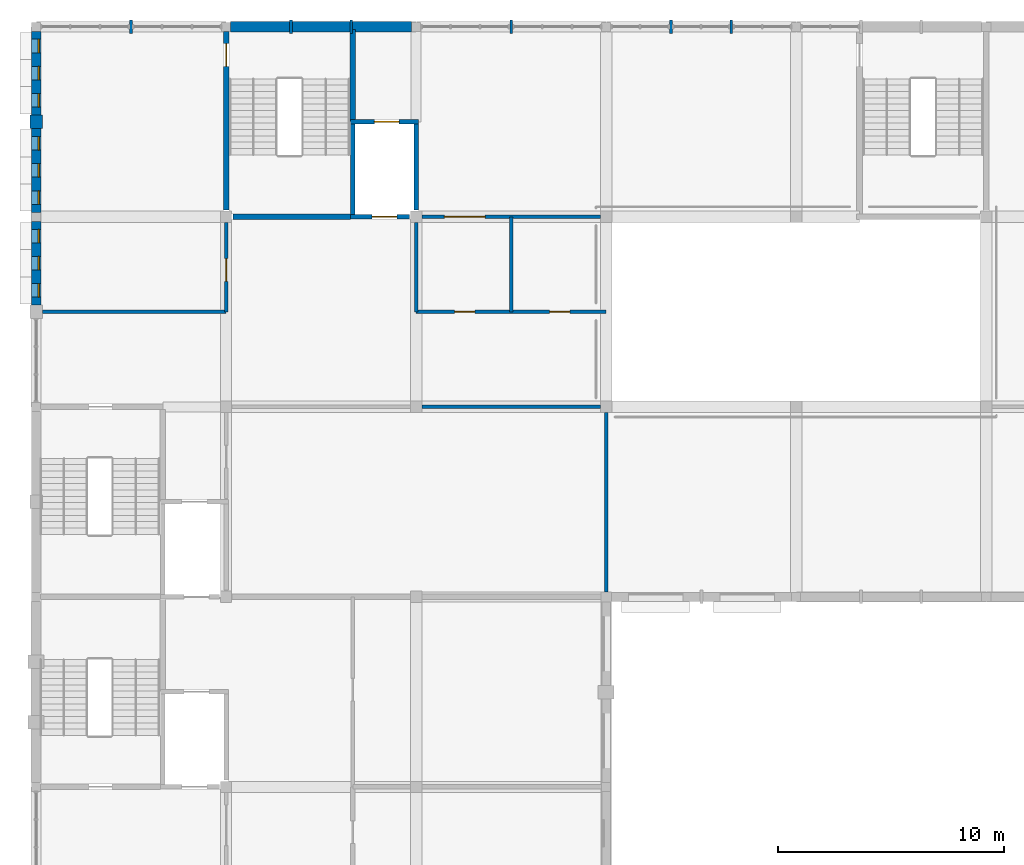
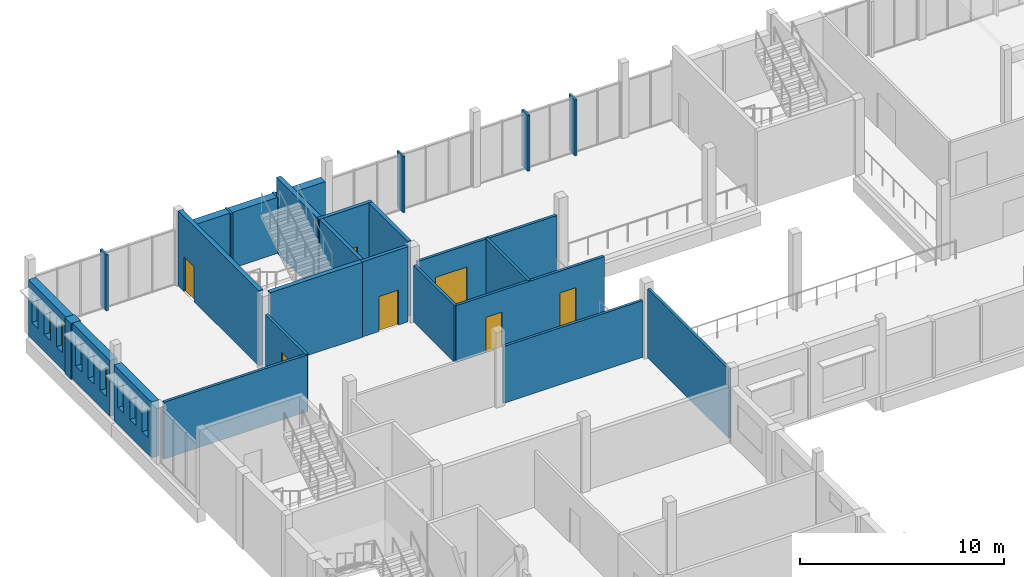
# One storey, part 27 of 38: 28 walls, 9 windows, 7 doors, 16 openings.
"""IFC4 building model written with IfcOpenShell, lengths in metres."""

from ifc_helpers import new_model, si_unit, direction, frame, frame_2d, origin, place, context, subcontext, project, spatial, rectangle, extrude, material, layer, layer_set, type_object, element, fill, save


model = new_model("IFC4")

# Units and contexts
model_context = context("Model", 3, precision=1e-05, world=origin(), true_north=direction((0.0, 1.0)))
body_context = subcontext(model_context, "Body", "Model", "MODEL_VIEW")
ifc_project = project(units=[si_unit("LENGTHUNIT", "METRE"), si_unit("AREAUNIT", "SQUARE_METRE"), si_unit("VOLUMEUNIT", "CUBIC_METRE"), si_unit("PLANEANGLEUNIT", "RADIAN"), si_unit("MASSUNIT", "GRAM", prefix="KILO")], contexts=[model_context])

# Site, building, storey
site_placement = place(None, origin())
site = spatial("IfcSite", under=ifc_project, at=site_placement, CompositionType="ELEMENT")
building_placement = place(site_placement, origin())
building = spatial("IfcBuilding", under=site, at=building_placement, Name="Fescue Hill Polytechnic", CompositionType="ELEMENT")
storey_placement = place(building_placement, frame((0.0, 0.0, 18.0)))
storey = spatial("IfcBuildingStorey", under=building, at=storey_placement, Name="L04", CompositionType="ELEMENT", Elevation=18.0)

# Walls
ifc_material_1 = material(Name="Clay brick masonry", Category="masonry")
ifc_layer_1 = layer(ifc_material_1, 0.550048828125)
ifc_layer_set_1 = layer_set([ifc_layer_1], Name="Clay brick masonry")
wall_type_1 = type_object("IfcWallType", Name="Brick pier 600x550", PredefinedType="SOLIDWALL", material=ifc_layer_set_1)
wall_1_placement = place(storey_placement, frame((0.0, 130.5, 0.0), z_axis=(0.0, 0.0, 1.0), x_axis=(0.0, -1.0, 0.0)))
element("IfcWall", 1, at=wall_1_placement, inside=storey, type_object=wall_type_1, Name="PR-L04-V5-18", PredefinedType="SOLIDWALL", context=body_context, shape_type="SweptSolid", body=[
    extrude(rectangle(XDim=0.60009765625, YDim=0.550048828125, at=frame_2d((0.300048828125, 0.0))), origin(), (0.0, 0.0, 1.0), 3.35009765625),
])
ifc_material_2 = material(Name="Concrete 40 MPa", Category="concrete")
ifc_layer_2 = layer(ifc_material_2, 0.25)
ifc_layer_set_2 = layer_set([ifc_layer_2], Name="Concrete 40 MPa")
wall_type_2 = type_object("IfcWallType", Name="Core wall 250", PredefinedType="SHEAR", material=ifc_layer_set_2)
wall_2_placement = place(storey_placement, frame((8.699951171875, 126.0, 0.0), z_axis=(0.0, 0.0, 1.0), x_axis=(1.0, 0.0, 0.0)))
element("IfcWall", 2, at=wall_2_placement, inside=storey, type_object=wall_type_2, Name="CW-L04-ST-V5-3-11", PredefinedType="SHEAR", context=body_context, shape_type="SweptSolid", body=[
    extrude(rectangle(XDim=5.199951171875, YDim=0.25, at=frame_2d((2.60009765625, 0.0))), origin(), (0.0, 0.0, 1.0), 4.5),
])

# Wall, opening, door
wall_3_placement = place(storey_placement, frame((8.39990234375, 126.300048828125, 0.0), z_axis=(0.0, 0.0, 1.0), x_axis=(0.0, 1.0, 0.0)))
wall_3 = element("IfcWall", 3, at=wall_3_placement, inside=storey, type_object=wall_type_2, Name="CW-L04-ST-V5-3-31", PredefinedType="SHEAR", context=body_context, shape_type="SweptSolid", body=[
    extrude(rectangle(XDim=7.89990234375, YDim=0.25, at=frame_2d((3.949951171875, 0.0))), origin(), (0.0, 0.0, 1.0), 4.5),
])
opening_1_placement = place(wall_3_placement, frame((6.35009765625, 0.0, 0.0)))
opening_1 = element("IfcOpeningElement", 4, at=opening_1_placement, cuts=wall_3, Name="Opening D4041", PredefinedType="OPENING", context=body_context, shape_type="SweptSolid", body=[
    extrude(rectangle(XDim=1.0, YDim=2.10009765625, at=frame_2d((0.5, 1.050048828125))), frame((0.0, 0.135009765625, 0.0), z_axis=(0.0, -1.0, 0.0), x_axis=(1.0, 0.0, 0.0)), (0.0, 0.0, 1.0), 0.27001953125),
])
ifc_material_3 = material(Name="Steel fire door", Category="steel")
door_type_1 = type_object("IfcDoorType", Name="Door single swing 1000x2100 stair fire rated", OperationType="NOTDEFINED", PredefinedType="DOOR", material=ifc_material_3)
door_1_placement = place(opening_1_placement, origin())
door_1 = element("IfcDoor", 5, at=door_1_placement, inside=storey, type_object=door_type_1, Name="L04 ST-V5-3 stair door", OperationType="SINGLE_SWING_RIGHT", OverallHeight=2.10009765625, OverallWidth=1.0, PredefinedType="DOOR", context=body_context, shape_type="SweptSolid", body=[
    extrude(rectangle(XDim=1.0, YDim=2.10009765625, at=frame_2d((0.5, 1.050048828125))), frame((0.0, 0.02490234375, 0.0), z_axis=(0.0, -1.0, 0.0), x_axis=(1.0, 0.0, 0.0)), (0.0, 0.0, 1.0), 0.050048828125),
])
fill(opening_1, door_1)

# Walls
wall_4_placement = place(storey_placement, frame((14.0, 130.2099609375, 0.0), z_axis=(0.0, 0.0, 1.0), x_axis=(0.0, 1.0, 0.0)))
element("IfcWall", 6, at=wall_4_placement, inside=storey, type_object=wall_type_2, Name="CW-L04-ST-V5-3-41", PredefinedType="SHEAR", context=body_context, shape_type="SweptSolid", body=[
    extrude(rectangle(XDim=4.06494140625, YDim=0.25, at=frame_2d((2.032470703125, 0.0))), origin(), (0.0, 0.0, 1.0), 4.5),
])
ifc_material_4 = material(Name="Gypsum board partition")
ifc_layer_3 = layer(ifc_material_4, 0.14990234375)
ifc_layer_set_3 = layer_set([ifc_layer_3], Name="Gypsum board partition")
wall_type_3 = type_object("IfcWallType", Name="Corridor wall 150 EI 45", PredefinedType="PARTITIONING", material=ifc_layer_set_3)
wall_5_placement = place(storey_placement, frame((17.050048828125, 117.60009765625, 0.0), z_axis=(0.0, 0.0, 1.0), x_axis=(1.0, 0.0, 0.0)))
element("IfcWall", 7, at=wall_5_placement, inside=storey, type_object=wall_type_3, Name="IW-L04-023", PredefinedType="PARTITIONING", context=body_context, shape_type="SweptSolid", body=[
    extrude(rectangle(XDim=7.89990234375, YDim=0.14990234375, at=frame_2d((3.949951171875, 0.0))), origin(), (0.0, 0.0, 1.0), 3.39990234375),
])
wall_6_placement = place(storey_placement, frame((0.27490234375, 121.800048828125, 0.0), z_axis=(0.0, 0.0, 1.0), x_axis=(1.0, 0.0, 0.0)))
element("IfcWall", 8, at=wall_6_placement, inside=storey, type_object=wall_type_3, Name="IW-L04-031", PredefinedType="PARTITIONING", context=body_context, shape_type="SweptSolid", body=[
    extrude(rectangle(XDim=8.125, YDim=0.14990234375, at=frame_2d((4.0625, 0.0))), origin(), (0.0, 0.0, 1.0), 3.39990234375),
])

# Wall, openings, doors
wall_7_placement = place(storey_placement, frame((16.800048828125, 121.800048828125, 0.0), z_axis=(0.0, 0.0, 1.0), x_axis=(1.0, 0.0, 0.0)))
wall_7 = element("IfcWall", 9, at=wall_7_placement, inside=storey, type_object=wall_type_3, Name="IW-L04-032", PredefinedType="PARTITIONING", context=body_context, shape_type="SweptSolid", body=[
    extrude(rectangle(XDim=8.39990234375, YDim=0.14990234375, at=frame_2d((4.199951171875, 0.0))), origin(), (0.0, 0.0, 1.0), 3.39990234375),
])
opening_2_placement = place(wall_7_placement, frame((1.699951171875, 0.0, 0.0)))
opening_2 = element("IfcOpeningElement", 10, at=opening_2_placement, cuts=wall_7, Name="Opening D4019", PredefinedType="OPENING", context=body_context, shape_type="SweptSolid", body=[
    extrude(rectangle(XDim=0.89990234375, YDim=2.10009765625, at=frame_2d((0.449951171875, 1.050048828125))), frame((0.0, 0.0849609375, 0.0), z_axis=(0.0, -1.0, 0.0), x_axis=(1.0, 0.0, 0.0)), (0.0, 0.0, 1.0), 0.169921875),
])
opening_3_placement = place(wall_7_placement, frame((5.89990234375, 0.0, 0.0)))
opening_3 = element("IfcOpeningElement", 11, at=opening_3_placement, cuts=wall_7, Name="Opening D4020", PredefinedType="OPENING", context=body_context, shape_type="SweptSolid", body=[
    extrude(rectangle(XDim=0.89990234375, YDim=2.10009765625, at=frame_2d((0.449951171875, 1.050048828125))), frame((0.0, 0.0849609375, 0.0), z_axis=(0.0, -1.0, 0.0), x_axis=(1.0, 0.0, 0.0)), (0.0, 0.0, 1.0), 0.169921875),
])
ifc_material_5 = material(Name="Timber", Category="wood")
door_type_2 = type_object("IfcDoorType", Name="Door single swing 900x2100 FD30S", OperationType="SINGLE_SWING_LEFT", PredefinedType="DOOR", material=ifc_material_5)
door_2_placement = place(opening_2_placement, origin())
door_2 = element("IfcDoor", 12, at=door_2_placement, inside=storey, type_object=door_type_2, Name="Door D4019", OperationType="SINGLE_SWING_LEFT", OverallHeight=2.10009765625, OverallWidth=0.89990234375, PredefinedType="DOOR", context=body_context, shape_type="SweptSolid", body=[
    extrude(rectangle(XDim=0.89990234375, YDim=2.10009765625, at=frame_2d((0.449951171875, 1.050048828125))), frame((0.0, 0.02490234375, 0.0), z_axis=(0.0, -1.0, 0.0), x_axis=(1.0, 0.0, 0.0)), (0.0, 0.0, 1.0), 0.050048828125),
])
fill(opening_2, door_2)
door_3_placement = place(opening_3_placement, origin())
door_3 = element("IfcDoor", 13, at=door_3_placement, inside=storey, type_object=door_type_2, Name="Door D4020", OperationType="SINGLE_SWING_RIGHT", OverallHeight=2.10009765625, OverallWidth=0.89990234375, PredefinedType="DOOR", context=body_context, shape_type="SweptSolid", body=[
    extrude(rectangle(XDim=0.89990234375, YDim=2.10009765625, at=frame_2d((0.449951171875, 1.050048828125))), frame((0.0, 0.02490234375, 0.0), z_axis=(0.0, -1.0, 0.0), x_axis=(1.0, 0.0, 0.0)), (0.0, 0.0, 1.0), 0.050048828125),
])
fill(opening_3, door_3)

# Walls
ifc_layer_4 = layer(ifc_material_2, 0.449951171875)
ifc_layer_set_4 = layer_set([ifc_layer_4], Name="Concrete 40 MPa")
wall_type_4 = type_object("IfcWallType", Name="Exterior wall board-marked concrete 450", PredefinedType="SOLIDWALL", material=ifc_layer_set_4)
wall_8_placement = place(storey_placement, frame((16.60009765625, 134.39990234375, 0.0), z_axis=(0.0, 0.0, 1.0), x_axis=(-1.0, 0.0, 0.0)))
element("IfcWall", 14, at=wall_8_placement, inside=storey, type_object=wall_type_4, Name="EW-L04-V5-15", PredefinedType="SOLIDWALL", context=body_context, shape_type="SweptSolid", body=[
    extrude(rectangle(XDim=2.606689453125, YDim=0.449951171875, at=frame_2d((1.30322265625, 0.0))), origin(), (0.0, 0.0, 1.0), 3.35009765625),
])
ifc_layer_5 = layer(ifc_material_2, 0.449951171875)
ifc_layer_set_5 = layer_set([ifc_layer_5], Name="Concrete 40 MPa")
wall_type_5 = type_object("IfcWallType", Name="Exterior wall board-marked concrete 450 load-bearing", PredefinedType="SOLIDWALL", material=ifc_layer_set_5)
wall_9_placement = place(storey_placement, frame((13.873291015625, 134.39990234375, 0.0), z_axis=(0.0, 0.0, 1.0), x_axis=(-1.0, 0.0, 0.0)))
element("IfcWall", 15, at=wall_9_placement, inside=storey, type_object=wall_type_5, Name="EW-L04-V5-16", PredefinedType="SOLIDWALL", context=body_context, shape_type="SweptSolid", body=[
    extrude(rectangle(XDim=2.546630859375, YDim=0.449951171875, at=frame_2d((1.2734375, 0.0))), origin(), (0.0, 0.0, 1.0), 3.35009765625),
])
wall_10_placement = place(storey_placement, frame((11.206787109375, 134.39990234375, 0.0), z_axis=(0.0, 0.0, 1.0), x_axis=(-1.0, 0.0, 0.0)))
element("IfcWall", 16, at=wall_10_placement, inside=storey, type_object=wall_type_5, Name="EW-L04-V5-17", PredefinedType="SOLIDWALL", context=body_context, shape_type="SweptSolid", body=[
    extrude(rectangle(XDim=2.606689453125, YDim=0.449951171875, at=frame_2d((1.30322265625, 0.0))), origin(), (0.0, 0.0, 1.0), 3.35009765625),
])

# Wall, openings, windows
ifc_layer_6 = layer(ifc_material_1, 0.419921875)
ifc_layer_set_6 = layer_set([ifc_layer_6], Name="Clay brick masonry")
wall_type_6 = type_object("IfcWallType", Name="Exterior wall buff-red brick cavity 420", PredefinedType="SOLIDWALL", material=ifc_layer_set_6)
wall_11_placement = place(storey_placement, frame((0.0, 134.199951171875, 0.0), z_axis=(0.0, 0.0, 1.0), x_axis=(0.0, -1.0, 0.0)))
wall_11 = element("IfcWall", 17, at=wall_11_placement, inside=storey, type_object=wall_type_6, Name="EW-L04-V5-19", PredefinedType="SOLIDWALL", context=body_context, shape_type="SweptSolid", body=[
    extrude(rectangle(XDim=3.699951171875, YDim=0.419921875, at=frame_2d((1.85009765625, 0.0))), origin(), (0.0, 0.0, 1.0), 3.35009765625),
])
opening_4_placement = place(wall_11_placement, frame((0.35009765625, 0.0, 1.0)))
opening_4 = element("IfcOpeningElement", 18, at=opening_4_placement, cuts=wall_11, Name="Opening W6R", PredefinedType="OPENING", context=body_context, shape_type="SweptSolid", body=[
    extrude(rectangle(XDim=0.60009765625, YDim=1.800048828125, at=frame_2d((0.300048828125, 0.89990234375))), frame((0.0, 0.219970703125, 0.0), z_axis=(0.0, -1.0, 0.0), x_axis=(1.0, 0.0, 0.0)), (0.0, 0.0, 1.0), 0.43994140625),
])
opening_5_placement = place(wall_11_placement, frame((1.550048828125, 0.0, 1.0)))
opening_5 = element("IfcOpeningElement", 19, at=opening_5_placement, cuts=wall_11, Name="Opening W6R", PredefinedType="OPENING", context=body_context, shape_type="SweptSolid", body=[
    extrude(rectangle(XDim=0.60009765625, YDim=1.800048828125, at=frame_2d((0.300048828125, 0.89990234375))), frame((0.0, 0.219970703125, 0.0), z_axis=(0.0, -1.0, 0.0), x_axis=(1.0, 0.0, 0.0)), (0.0, 0.0, 1.0), 0.43994140625),
])
opening_6_placement = place(wall_11_placement, frame((2.75, 0.0, 1.0)))
opening_6 = element("IfcOpeningElement", 20, at=opening_6_placement, cuts=wall_11, Name="Opening W6R", PredefinedType="OPENING", context=body_context, shape_type="SweptSolid", body=[
    extrude(rectangle(XDim=0.60009765625, YDim=1.800048828125, at=frame_2d((0.300048828125, 0.89990234375))), frame((0.0, 0.219970703125, 0.0), z_axis=(0.0, -1.0, 0.0), x_axis=(1.0, 0.0, 0.0)), (0.0, 0.0, 1.0), 0.43994140625),
])
ifc_material_6 = material(Name="Powder-coated aluminium and glass", Category="aluminium")
window_type = type_object("IfcWindowType", Name="Window slot 600x1800", PartitioningType="SINGLE_PANEL", PredefinedType="WINDOW", material=ifc_material_6)
window_1_placement = place(opening_4_placement, origin())
window_1 = element("IfcWindow", 21, at=window_1_placement, inside=storey, type_object=window_type, Name="WN-L04-V5-3", OverallHeight=1.800048828125, OverallWidth=0.60009765625, PartitioningType="SINGLE_PANEL", PredefinedType="WINDOW", context=body_context, shape_type="SweptSolid", body=[
    extrude(rectangle(XDim=0.60009765625, YDim=1.800048828125, at=frame_2d((0.300048828125, 0.89990234375))), frame((0.0, 0.150146484375, 0.0), z_axis=(0.0, -1.0, 0.0), x_axis=(1.0, 0.0, 0.0)), (0.0, 0.0, 1.0), 0.06005859375),
])
fill(opening_4, window_1)
window_2_placement = place(opening_5_placement, origin())
window_2 = element("IfcWindow", 22, at=window_2_placement, inside=storey, type_object=window_type, Name="WN-L04-V5-4", OverallHeight=1.800048828125, OverallWidth=0.60009765625, PartitioningType="SINGLE_PANEL", PredefinedType="WINDOW", context=body_context, shape_type="SweptSolid", body=[
    extrude(rectangle(XDim=0.60009765625, YDim=1.800048828125, at=frame_2d((0.300048828125, 0.89990234375))), frame((0.0, 0.150146484375, 0.0), z_axis=(0.0, -1.0, 0.0), x_axis=(1.0, 0.0, 0.0)), (0.0, 0.0, 1.0), 0.06005859375),
])
fill(opening_5, window_2)
window_3_placement = place(opening_6_placement, origin())
window_3 = element("IfcWindow", 23, at=window_3_placement, inside=storey, type_object=window_type, Name="WN-L04-V5-5", OverallHeight=1.800048828125, OverallWidth=0.60009765625, PartitioningType="SINGLE_PANEL", PredefinedType="WINDOW", context=body_context, shape_type="SweptSolid", body=[
    extrude(rectangle(XDim=0.60009765625, YDim=1.800048828125, at=frame_2d((0.300048828125, 0.89990234375))), frame((0.0, 0.150146484375, 0.0), z_axis=(0.0, -1.0, 0.0), x_axis=(1.0, 0.0, 0.0)), (0.0, 0.0, 1.0), 0.06005859375),
])
fill(opening_6, window_3)

wall_12_placement = place(storey_placement, frame((0.0, 129.89990234375, 0.0), z_axis=(0.0, 0.0, 1.0), x_axis=(0.0, -1.0, 0.0)))
wall_12 = element("IfcWall", 24, at=wall_12_placement, inside=storey, type_object=wall_type_6, Name="EW-L04-V5-20", PredefinedType="SOLIDWALL", context=body_context, shape_type="SweptSolid", body=[
    extrude(rectangle(XDim=3.699951171875, YDim=0.419921875, at=frame_2d((1.85009765625, 0.0))), origin(), (0.0, 0.0, 1.0), 3.35009765625),
])
opening_7_placement = place(wall_12_placement, frame((0.35009765625, 0.0, 1.0)))
opening_7 = element("IfcOpeningElement", 25, at=opening_7_placement, cuts=wall_12, Name="Opening W6R", PredefinedType="OPENING", context=body_context, shape_type="SweptSolid", body=[
    extrude(rectangle(XDim=0.60009765625, YDim=1.800048828125, at=frame_2d((0.300048828125, 0.89990234375))), frame((0.0, 0.219970703125, 0.0), z_axis=(0.0, -1.0, 0.0), x_axis=(1.0, 0.0, 0.0)), (0.0, 0.0, 1.0), 0.43994140625),
])
opening_8_placement = place(wall_12_placement, frame((1.550048828125, 0.0, 1.0)))
opening_8 = element("IfcOpeningElement", 26, at=opening_8_placement, cuts=wall_12, Name="Opening W6R", PredefinedType="OPENING", context=body_context, shape_type="SweptSolid", body=[
    extrude(rectangle(XDim=0.60009765625, YDim=1.800048828125, at=frame_2d((0.300048828125, 0.89990234375))), frame((0.0, 0.219970703125, 0.0), z_axis=(0.0, -1.0, 0.0), x_axis=(1.0, 0.0, 0.0)), (0.0, 0.0, 1.0), 0.43994140625),
])
opening_9_placement = place(wall_12_placement, frame((2.75, 0.0, 1.0)))
opening_9 = element("IfcOpeningElement", 27, at=opening_9_placement, cuts=wall_12, Name="Opening W6R", PredefinedType="OPENING", context=body_context, shape_type="SweptSolid", body=[
    extrude(rectangle(XDim=0.60009765625, YDim=1.800048828125, at=frame_2d((0.300048828125, 0.89990234375))), frame((0.0, 0.219970703125, 0.0), z_axis=(0.0, -1.0, 0.0), x_axis=(1.0, 0.0, 0.0)), (0.0, 0.0, 1.0), 0.43994140625),
])
window_4_placement = place(opening_7_placement, origin())
window_4 = element("IfcWindow", 28, at=window_4_placement, inside=storey, type_object=window_type, Name="WN-L04-V5-6", OverallHeight=1.800048828125, OverallWidth=0.60009765625, PartitioningType="SINGLE_PANEL", PredefinedType="WINDOW", context=body_context, shape_type="SweptSolid", body=[
    extrude(rectangle(XDim=0.60009765625, YDim=1.800048828125, at=frame_2d((0.300048828125, 0.89990234375))), frame((0.0, 0.150146484375, 0.0), z_axis=(0.0, -1.0, 0.0), x_axis=(1.0, 0.0, 0.0)), (0.0, 0.0, 1.0), 0.06005859375),
])
fill(opening_7, window_4)
window_5_placement = place(opening_8_placement, origin())
window_5 = element("IfcWindow", 29, at=window_5_placement, inside=storey, type_object=window_type, Name="WN-L04-V5-7", OverallHeight=1.800048828125, OverallWidth=0.60009765625, PartitioningType="SINGLE_PANEL", PredefinedType="WINDOW", context=body_context, shape_type="SweptSolid", body=[
    extrude(rectangle(XDim=0.60009765625, YDim=1.800048828125, at=frame_2d((0.300048828125, 0.89990234375))), frame((0.0, 0.150146484375, 0.0), z_axis=(0.0, -1.0, 0.0), x_axis=(1.0, 0.0, 0.0)), (0.0, 0.0, 1.0), 0.06005859375),
])
fill(opening_8, window_5)
window_6_placement = place(opening_9_placement, origin())
window_6 = element("IfcWindow", 30, at=window_6_placement, inside=storey, type_object=window_type, Name="WN-L04-V5-8", OverallHeight=1.800048828125, OverallWidth=0.60009765625, PartitioningType="SINGLE_PANEL", PredefinedType="WINDOW", context=body_context, shape_type="SweptSolid", body=[
    extrude(rectangle(XDim=0.60009765625, YDim=1.800048828125, at=frame_2d((0.300048828125, 0.89990234375))), frame((0.0, 0.150146484375, 0.0), z_axis=(0.0, -1.0, 0.0), x_axis=(1.0, 0.0, 0.0)), (0.0, 0.0, 1.0), 0.06005859375),
])
fill(opening_9, window_6)

wall_13_placement = place(storey_placement, frame((0.0, 125.800048828125, 0.0), z_axis=(0.0, 0.0, 1.0), x_axis=(0.0, -1.0, 0.0)))
wall_13 = element("IfcWall", 31, at=wall_13_placement, inside=storey, type_object=wall_type_6, Name="EW-L04-V5-21", PredefinedType="SOLIDWALL", context=body_context, shape_type="SweptSolid", body=[
    extrude(rectangle(XDim=3.699951171875, YDim=0.419921875, at=frame_2d((1.85009765625, 0.0))), origin(), (0.0, 0.0, 1.0), 3.35009765625),
])
opening_10_placement = place(wall_13_placement, frame((0.35009765625, 0.0, 1.0)))
opening_10 = element("IfcOpeningElement", 32, at=opening_10_placement, cuts=wall_13, Name="Opening W6R", PredefinedType="OPENING", context=body_context, shape_type="SweptSolid", body=[
    extrude(rectangle(XDim=0.60009765625, YDim=1.800048828125, at=frame_2d((0.300048828125, 0.89990234375))), frame((0.0, 0.219970703125, 0.0), z_axis=(0.0, -1.0, 0.0), x_axis=(1.0, 0.0, 0.0)), (0.0, 0.0, 1.0), 0.43994140625),
])
opening_11_placement = place(wall_13_placement, frame((1.550048828125, 0.0, 1.0)))
opening_11 = element("IfcOpeningElement", 33, at=opening_11_placement, cuts=wall_13, Name="Opening W6R", PredefinedType="OPENING", context=body_context, shape_type="SweptSolid", body=[
    extrude(rectangle(XDim=0.60009765625, YDim=1.800048828125, at=frame_2d((0.300048828125, 0.89990234375))), frame((0.0, 0.219970703125, 0.0), z_axis=(0.0, -1.0, 0.0), x_axis=(1.0, 0.0, 0.0)), (0.0, 0.0, 1.0), 0.43994140625),
])
opening_12_placement = place(wall_13_placement, frame((2.75, 0.0, 1.0)))
opening_12 = element("IfcOpeningElement", 34, at=opening_12_placement, cuts=wall_13, Name="Opening W6R", PredefinedType="OPENING", context=body_context, shape_type="SweptSolid", body=[
    extrude(rectangle(XDim=0.60009765625, YDim=1.800048828125, at=frame_2d((0.300048828125, 0.89990234375))), frame((0.0, 0.219970703125, 0.0), z_axis=(0.0, -1.0, 0.0), x_axis=(1.0, 0.0, 0.0)), (0.0, 0.0, 1.0), 0.43994140625),
])
window_7_placement = place(opening_10_placement, origin())
window_7 = element("IfcWindow", 35, at=window_7_placement, inside=storey, type_object=window_type, Name="WN-L04-V5-9", OverallHeight=1.800048828125, OverallWidth=0.60009765625, PartitioningType="SINGLE_PANEL", PredefinedType="WINDOW", context=body_context, shape_type="SweptSolid", body=[
    extrude(rectangle(XDim=0.60009765625, YDim=1.800048828125, at=frame_2d((0.300048828125, 0.89990234375))), frame((0.0, 0.150146484375, 0.0), z_axis=(0.0, -1.0, 0.0), x_axis=(1.0, 0.0, 0.0)), (0.0, 0.0, 1.0), 0.06005859375),
])
fill(opening_10, window_7)
window_8_placement = place(opening_11_placement, origin())
window_8 = element("IfcWindow", 36, at=window_8_placement, inside=storey, type_object=window_type, Name="WN-L04-V5-10", OverallHeight=1.800048828125, OverallWidth=0.60009765625, PartitioningType="SINGLE_PANEL", PredefinedType="WINDOW", context=body_context, shape_type="SweptSolid", body=[
    extrude(rectangle(XDim=0.60009765625, YDim=1.800048828125, at=frame_2d((0.300048828125, 0.89990234375))), frame((0.0, 0.150146484375, 0.0), z_axis=(0.0, -1.0, 0.0), x_axis=(1.0, 0.0, 0.0)), (0.0, 0.0, 1.0), 0.06005859375),
])
fill(opening_11, window_8)
window_9_placement = place(opening_12_placement, origin())
window_9 = element("IfcWindow", 37, at=window_9_placement, inside=storey, type_object=window_type, Name="WN-L04-V5-11", OverallHeight=1.800048828125, OverallWidth=0.60009765625, PartitioningType="SINGLE_PANEL", PredefinedType="WINDOW", context=body_context, shape_type="SweptSolid", body=[
    extrude(rectangle(XDim=0.60009765625, YDim=1.800048828125, at=frame_2d((0.300048828125, 0.89990234375))), frame((0.0, 0.150146484375, 0.0), z_axis=(0.0, -1.0, 0.0), x_axis=(1.0, 0.0, 0.0)), (0.0, 0.0, 1.0), 0.06005859375),
])
fill(opening_12, window_9)

# Wall, opening, door
ifc_layer_7 = layer(ifc_material_2, 0.199951171875)
ifc_layer_set_7 = layer_set([ifc_layer_7], Name="Concrete 40 MPa")
wall_type_7 = type_object("IfcWallType", Name="Lift shaft wall 200", PredefinedType="SHEAR", material=ifc_layer_set_7)
wall_14_placement = place(storey_placement, frame((13.89990234375, 126.0, 0.0), z_axis=(0.0, 0.0, 1.0), x_axis=(1.0, 0.0, 0.0)))
wall_14 = element("IfcWall", 38, at=wall_14_placement, inside=storey, type_object=wall_type_7, Name="CW-L04-LF-V5-2-11", PredefinedType="SHEAR", context=body_context, shape_type="SweptSolid", body=[
    extrude(rectangle(XDim=2.60009765625, YDim=0.199951171875, at=frame_2d((1.300048828125, 0.0))), origin(), (0.0, 0.0, 1.0), 4.5),
])
opening_13_placement = place(wall_14_placement, frame((0.949951171875, 0.0, 0.0)))
opening_13 = element("IfcOpeningElement", 39, at=opening_13_placement, cuts=wall_14, Name="Opening LD7-L04", PredefinedType="OPENING", context=body_context, shape_type="SweptSolid", body=[
    extrude(rectangle(XDim=1.10009765625, YDim=2.10009765625, at=frame_2d((0.550048828125, 1.050048828125))), frame((0.0, 0.10986328125, 0.0), z_axis=(0.0, -1.0, 0.0), x_axis=(1.0, 0.0, 0.0)), (0.0, 0.0, 1.0), 0.219970703125),
])
ifc_material_7 = material(Name="Stainless steel", Category="steel")
door_type_3 = type_object("IfcDoorType", Name="Lift landing door sliding 1100x2100", OperationType="SLIDING_TO_LEFT", PredefinedType="DOOR", material=ifc_material_7)
door_4_placement = place(opening_13_placement, origin())
door_4 = element("IfcDoor", 40, at=door_4_placement, inside=storey, type_object=door_type_3, Name="L04 LF-V5-2 lift landing door", OperationType="SLIDING_TO_LEFT", OverallHeight=2.10009765625, OverallWidth=1.10009765625, PredefinedType="DOOR", context=body_context, shape_type="SweptSolid", body=[
    extrude(rectangle(XDim=1.10009765625, YDim=2.10009765625, at=frame_2d((0.550048828125, 1.050048828125))), frame((0.0, 0.02490234375, 0.0), z_axis=(0.0, -1.0, 0.0), x_axis=(1.0, 0.0, 0.0)), (0.0, 0.0, 1.0), 0.050048828125),
])
fill(opening_13, door_4)

wall_15_placement = place(storey_placement, frame((13.89990234375, 130.199951171875, 0.0), z_axis=(0.0, 0.0, 1.0), x_axis=(1.0, 0.0, 0.0)))
wall_15 = element("IfcWall", 41, at=wall_15_placement, inside=storey, type_object=wall_type_7, Name="CW-L04-LF-V5-2-21", PredefinedType="SHEAR", context=body_context, shape_type="SweptSolid", body=[
    extrude(rectangle(XDim=3.0, YDim=0.199951171875, at=frame_2d((1.5, 0.0))), origin(), (0.0, 0.0, 1.0), 4.5),
])
opening_14_placement = place(wall_15_placement, frame((1.050048828125, 0.0, 0.0)))
opening_14 = element("IfcOpeningElement", 42, at=opening_14_placement, cuts=wall_15, Name="Opening LD7-L04N", PredefinedType="OPENING", context=body_context, shape_type="SweptSolid", body=[
    extrude(rectangle(XDim=1.10009765625, YDim=2.10009765625, at=frame_2d((0.550048828125, 1.050048828125))), frame((0.0, 0.10986328125, 0.0), z_axis=(0.0, -1.0, 0.0), x_axis=(1.0, 0.0, 0.0)), (0.0, 0.0, 1.0), 0.219970703125),
])
door_5_placement = place(opening_14_placement, origin())
door_5 = element("IfcDoor", 43, at=door_5_placement, inside=storey, type_object=door_type_3, Name="L04 LF-V5-2 lift landing door", OperationType="SLIDING_TO_RIGHT", OverallHeight=2.10009765625, OverallWidth=1.10009765625, PredefinedType="DOOR", context=body_context, shape_type="SweptSolid", body=[
    extrude(rectangle(XDim=1.10009765625, YDim=2.10009765625, at=frame_2d((0.550048828125, 1.050048828125))), frame((0.0, 0.02490234375, 0.0), z_axis=(0.0, -1.0, 0.0), x_axis=(1.0, 0.0, 0.0)), (0.0, 0.0, 1.0), 0.050048828125),
])
fill(opening_14, door_5)

# Walls
wall_16_placement = place(storey_placement, frame((14.0, 126.10009765625, 0.0), z_axis=(0.0, 0.0, 1.0), x_axis=(0.0, 1.0, 0.0)))
element("IfcWall", 44, at=wall_16_placement, inside=storey, type_object=wall_type_7, Name="CW-L04-LF-V5-2-31", PredefinedType="SHEAR", context=body_context, shape_type="SweptSolid", body=[
    extrude(rectangle(XDim=4.0, YDim=0.199951171875, at=frame_2d((2.0, 0.0))), origin(), (0.0, 0.0, 1.0), 4.5),
])
wall_17_placement = place(storey_placement, frame((16.800048828125, 126.300048828125, 0.0), z_axis=(0.0, 0.0, 1.0), x_axis=(0.0, 1.0, 0.0)))
element("IfcWall", 45, at=wall_17_placement, inside=storey, type_object=wall_type_7, Name="CW-L04-LF-V5-2-41", PredefinedType="SHEAR", context=body_context, shape_type="SweptSolid", body=[
    extrude(rectangle(XDim=3.800048828125, YDim=0.199951171875, at=frame_2d((1.89990234375, 0.0))), origin(), (0.0, 0.0, 1.0), 4.5),
])

# Wall, opening, door
ifc_layer_8 = layer(ifc_material_4, 0.14990234375)
ifc_layer_set_8 = layer_set([ifc_layer_8], Name="Gypsum board partition")
wall_type_8 = type_object("IfcWallType", Name="Lobby wall 150 EI 60", PredefinedType="PARTITIONING", material=ifc_layer_set_8)
wall_18_placement = place(storey_placement, frame((8.39990234375, 121.800048828125, 0.0), z_axis=(0.0, 0.0, 1.0), x_axis=(0.0, 1.0, 0.0)))
wall_18 = element("IfcWall", 46, at=wall_18_placement, inside=storey, type_object=wall_type_8, Name="IW-L04-042", PredefinedType="PARTITIONING", context=body_context, shape_type="SweptSolid", body=[
    extrude(rectangle(XDim=3.949951171875, YDim=0.14990234375, at=frame_2d((1.97509765625, 0.0))), origin(), (0.0, 0.0, 1.0), 3.39990234375),
])
opening_15_placement = place(wall_18_placement, frame((1.35009765625, 0.0, 0.0)))
opening_15 = element("IfcOpeningElement", 47, at=opening_15_placement, cuts=wall_18, Name="Opening D4022", PredefinedType="OPENING", context=body_context, shape_type="SweptSolid", body=[
    extrude(rectangle(XDim=1.0, YDim=2.10009765625, at=frame_2d((0.5, 1.050048828125))), frame((0.0, 0.0849609375, 0.0), z_axis=(0.0, -1.0, 0.0), x_axis=(1.0, 0.0, 0.0)), (0.0, 0.0, 1.0), 0.169921875),
])
ifc_material_8 = material(Name="Steel", Category="steel")
door_type_4 = type_object("IfcDoorType", Name="Door single swing 1000x2100 FD60", OperationType="SINGLE_SWING_LEFT", PredefinedType="DOOR", material=ifc_material_8)
door_6_placement = place(opening_15_placement, origin())
door_6 = element("IfcDoor", 48, at=door_6_placement, inside=storey, type_object=door_type_4, Name="Door D4022", OperationType="SINGLE_SWING_LEFT", OverallHeight=2.10009765625, OverallWidth=1.0, PredefinedType="DOOR", context=body_context, shape_type="SweptSolid", body=[
    extrude(rectangle(XDim=1.0, YDim=2.10009765625, at=frame_2d((0.5, 1.050048828125))), frame((0.0, 0.02490234375, 0.0), z_axis=(0.0, -1.0, 0.0), x_axis=(1.0, 0.0, 0.0)), (0.0, 0.0, 1.0), 0.050048828125),
])
fill(opening_15, door_6)

# Wall
wall_19_placement = place(storey_placement, frame((16.800048828125, 121.800048828125, 0.0), z_axis=(0.0, 0.0, 1.0), x_axis=(0.0, 1.0, 0.0)))
element("IfcWall", 49, at=wall_19_placement, inside=storey, type_object=wall_type_8, Name="IW-L04-051", PredefinedType="PARTITIONING", context=body_context, shape_type="SweptSolid", body=[
    extrude(rectangle(XDim=3.949951171875, YDim=0.14990234375, at=frame_2d((1.97509765625, 0.0))), origin(), (0.0, 0.0, 1.0), 3.39990234375),
])

# Wall, opening, door
ifc_layer_9 = layer(ifc_material_4, 0.14990234375)
ifc_layer_set_9 = layer_set([ifc_layer_9], Name="Gypsum board partition")
wall_type_9 = type_object("IfcWallType", Name="Partition stud 150 acoustic", PredefinedType="PARTITIONING", material=ifc_layer_set_9)
wall_20_placement = place(storey_placement, frame((17.050048828125, 126.0, 0.0), z_axis=(0.0, 0.0, 1.0), x_axis=(1.0, 0.0, 0.0)))
wall_20 = element("IfcWall", 50, at=wall_20_placement, inside=storey, type_object=wall_type_9, Name="IW-L04-036", PredefinedType="PARTITIONING", context=body_context, shape_type="SweptSolid", body=[
    extrude(rectangle(XDim=7.89990234375, YDim=0.14990234375, at=frame_2d((3.949951171875, 0.0))), origin(), (0.0, 0.0, 1.0), 3.39990234375),
])
opening_16_placement = place(wall_20_placement, frame((1.0, 0.0, 0.0)))
opening_16 = element("IfcOpeningElement", 51, at=opening_16_placement, cuts=wall_20, Name="Opening D4021", PredefinedType="OPENING", context=body_context, shape_type="SweptSolid", body=[
    extrude(rectangle(XDim=1.800048828125, YDim=2.10009765625, at=frame_2d((0.89990234375, 1.050048828125))), frame((0.0, 0.0849609375, 0.0), z_axis=(0.0, -1.0, 0.0), x_axis=(1.0, 0.0, 0.0)), (0.0, 0.0, 1.0), 0.169921875),
])
door_type_5 = type_object("IfcDoorType", Name="Door double swing 1800x2100", OperationType="DOUBLE_DOOR_SINGLE_SWING", PredefinedType="DOOR", material=ifc_material_5)
door_7_placement = place(opening_16_placement, origin())
door_7 = element("IfcDoor", 52, at=door_7_placement, inside=storey, type_object=door_type_5, Name="Door D4021", OperationType="DOUBLE_DOOR_SINGLE_SWING", OverallHeight=2.10009765625, OverallWidth=1.800048828125, PredefinedType="DOOR", context=body_context, shape_type="SweptSolid", body=[
    extrude(rectangle(XDim=1.800048828125, YDim=2.10009765625, at=frame_2d((0.89990234375, 1.050048828125))), frame((0.0, 0.02490234375, 0.0), z_axis=(0.0, -1.0, 0.0), x_axis=(1.0, 0.0, 0.0)), (0.0, 0.0, 1.0), 0.050048828125),
])
fill(opening_16, door_7)

# Walls
wall_21_placement = place(storey_placement, frame((21.0, 121.800048828125, 0.0), z_axis=(0.0, 0.0, 1.0), x_axis=(0.0, 1.0, 0.0)))
element("IfcWall", 53, at=wall_21_placement, inside=storey, type_object=wall_type_9, Name="IW-L04-052", PredefinedType="PARTITIONING", context=body_context, shape_type="SweptSolid", body=[
    extrude(rectangle(XDim=4.199951171875, YDim=0.14990234375, at=frame_2d((2.10009765625, 0.0))), origin(), (0.0, 0.0, 1.0), 3.39990234375),
])
wall_22_placement = place(storey_placement, frame((25.199951171875, 109.425048828125, 0.0), z_axis=(0.0, 0.0, 1.0), x_axis=(0.0, 1.0, 0.0)))
element("IfcWall", 54, at=wall_22_placement, inside=storey, type_object=wall_type_9, Name="IW-L04-053", PredefinedType="PARTITIONING", context=body_context, shape_type="SweptSolid", body=[
    extrude(rectangle(XDim=7.925048828125, YDim=0.14990234375, at=frame_2d((3.96240234375, 0.0))), origin(), (0.0, 0.0, 1.0), 4.14990234375),
])
ifc_material_9 = material(Name="Glulam 24f-EX", Category="wood")
ifc_layer_10 = layer(ifc_material_9, 0.60009765625)
ifc_layer_set_10 = layer_set([ifc_layer_10], Name="Glulam 24f-EX")
wall_type_10 = type_object("IfcWallType", Name="Timber fin 120x600", PredefinedType="SOLIDWALL", material=ifc_layer_set_10)
wall_23_placement = place(storey_placement, frame((30.793212890625, 134.39990234375, 0.0), z_axis=(0.0, 0.0, 1.0), x_axis=(-1.0, 0.0, 0.0)))
element("IfcWall", 55, at=wall_23_placement, inside=storey, type_object=wall_type_10, Name="PR-L04-V5-12", PredefinedType="SOLIDWALL", context=body_context, shape_type="SweptSolid", body=[
    extrude(rectangle(XDim=0.119873046875, YDim=0.60009765625, at=frame_2d((0.06005859375, 0.0))), origin(), (0.0, 0.0, 1.0), 3.35009765625),
])
for number, where, z_axis, x_axis, name in (
    (56, (28.126708984375, 134.39990234375, 0.0), (0.0, 0.0, 1.0), (-1.0, 0.0, 0.0), "PR-L04-V5-13"),
    (57, (21.06005859375, 134.39990234375, 0.0), (0.0, 0.0, 1.0), (-1.0, 0.0, 0.0), "PR-L04-V5-14"),
    (58, (13.993408203125, 134.39990234375, 0.0), (0.0, 0.0, 1.0), (-1.0, 0.0, 0.0), "PR-L04-V5-15"),
):
    element("IfcWall", number, at=place(storey_placement, frame(where, z_axis=z_axis, x_axis=x_axis)), inside=storey, type_object=wall_type_10, Name=name, PredefinedType="SOLIDWALL", context=body_context, shape_type="SweptSolid", body=[
        extrude(rectangle(XDim=0.1201171875, YDim=0.60009765625, at=frame_2d((0.06005859375, 0.0))), origin(), (0.0, 0.0, 1.0), 3.35009765625),
    ])
wall_24_placement = place(storey_placement, frame((11.32666015625, 134.39990234375, 0.0), z_axis=(0.0, 0.0, 1.0), x_axis=(-1.0, 0.0, 0.0)))
element("IfcWall", 59, at=wall_24_placement, inside=storey, type_object=wall_type_10, Name="PR-L04-V5-16", PredefinedType="SOLIDWALL", context=body_context, shape_type="SweptSolid", body=[
    extrude(rectangle(XDim=0.119873046875, YDim=0.60009765625, at=frame_2d((0.06005859375, 0.0))), origin(), (0.0, 0.0, 1.0), 3.35009765625),
])
wall_25_placement = place(storey_placement, frame((4.260009765625, 134.39990234375, 0.0), z_axis=(0.0, 0.0, 1.0), x_axis=(-1.0, 0.0, 0.0)))
element("IfcWall", 60, at=wall_25_placement, inside=storey, type_object=wall_type_10, Name="PR-L04-V5-17", PredefinedType="SOLIDWALL", context=body_context, shape_type="SweptSolid", body=[
    extrude(rectangle(XDim=0.1201171875, YDim=0.60009765625, at=frame_2d((0.06005859375, 0.0))), origin(), (0.0, 0.0, 1.0), 3.35009765625),
])

save(model, "model.ifc")
